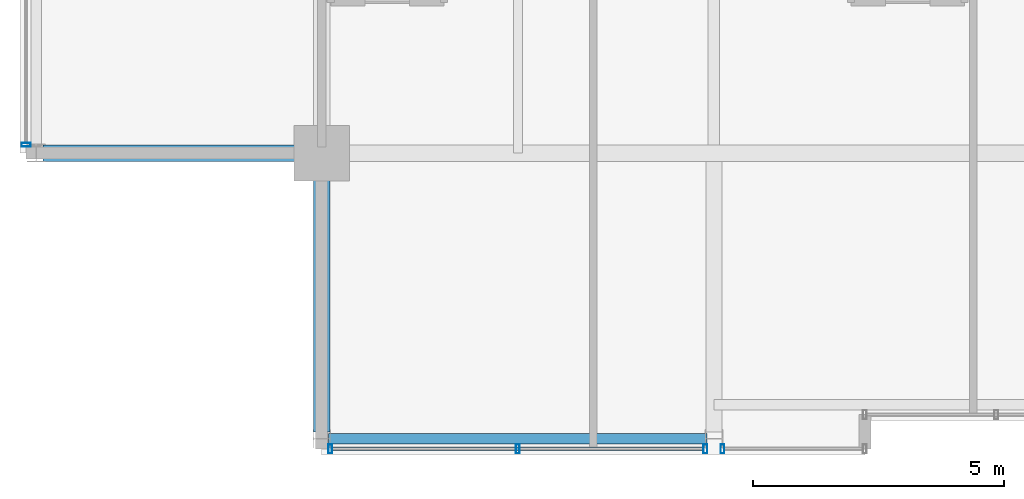
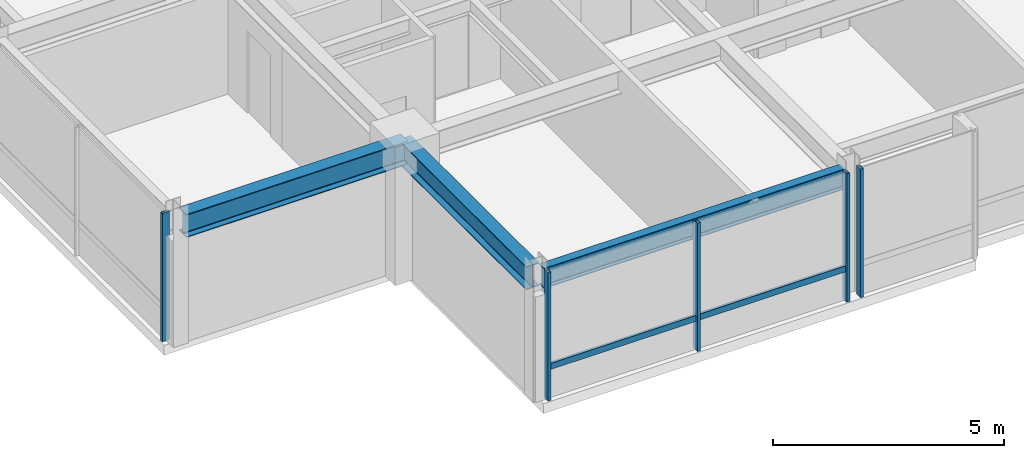
# One storey, part 4 of 34: 6 members, 3 beams, 3 elements without a shape of their own.
"""IFC4 building model written with IfcOpenShell, lengths in metres."""

from ifc_helpers import new_model, si_unit, direction, frame, origin, origin_2d, place, context, subcontext, project, spatial, hollow_rectangle, i_section, extrude, material, layer, layer_set, material_profile, profile_set, type_object, element, aggregate, save


model = new_model("IFC4")

# Units and contexts
model_context = context("Model", 3, precision=1e-05, world=origin(), true_north=direction((0.0, 1.0)))
body_context = subcontext(model_context, "Body", "Model", "MODEL_VIEW")
ifc_project = project(units=[si_unit("LENGTHUNIT", "METRE"), si_unit("AREAUNIT", "SQUARE_METRE"), si_unit("VOLUMEUNIT", "CUBIC_METRE"), si_unit("PLANEANGLEUNIT", "RADIAN"), si_unit("MASSUNIT", "GRAM", prefix="KILO")], contexts=[model_context])

# Site, building, storey
site_placement = place(None, origin())
site = spatial("IfcSite", under=ifc_project, at=site_placement, CompositionType="ELEMENT")
building_placement = place(site_placement, origin())
building = spatial("IfcBuilding", under=site, at=building_placement, Name="Drelvath Grand Hotel", CompositionType="ELEMENT")
storey_placement = place(building_placement, frame((0.0, 0.0, 272.300048828125)))
storey = spatial("IfcBuildingStorey", under=building, at=storey_placement, Name="L71", CompositionType="ELEMENT", Elevation=272.300048828125)

# Curtain wall, member
ifc_material_1 = material(Name="Platinum-Mist Anodised Aluminium Frame", Category="aluminium")
ifc_layer = layer(ifc_material_1, 0.199951171875)
ifc_layer_set = layer_set([ifc_layer], Name="Platinum-Mist Anodised Aluminium Frame")
curtain_wall_type = type_object("IfcCurtainWallType", Name="Stick Curtain Wall CW-05 Platinum Mist High-Rise", PredefinedType="NOTDEFINED", material=ifc_layer_set)
curtain_wall_1_placement = place(storey_placement, origin())
curtain_wall_1 = element("IfcCurtainWall", 1, at=curtain_wall_1_placement, inside=storey, type_object=curtain_wall_type, Name="L71 CW-05 Curtain Wall CW05-L71-SW1", PredefinedType="NOTDEFINED")
ifc_material_profile_1 = material_profile(ifc_material_1, hollow_rectangle(XDim=0.06494140625, YDim=0.159912109375, WallThickness=0.00390625, at=origin_2d()), Name="HSS160X65X4")
ifc_profile_set_1 = profile_set([ifc_material_profile_1], Name="Platinum-Mist Anodised Aluminium Frame")
member_type_1 = type_object("IfcMemberType", Name="Curtain Wall Horizontal Transom CW-05 HSS160X65X4", PredefinedType="USERDEFINED", material=ifc_profile_set_1)
member_1_placement = place(storey_placement, frame((-8.610107421875, 4.919921875, 0.847412109375), z_axis=(-1.0, 0.0, 0.0), x_axis=(0.0, -1.0, 0.0)))
member_1 = element("IfcMember", 2, at=member_1_placement, type_object=member_type_1, Name="CW05-L71-SW1 Sill Transom", ObjectType="TRANSOM", PredefinedType="USERDEFINED", context=body_context, shape_type="SweptSolid", body=[
    extrude(hollow_rectangle(XDim=0.06494140625, YDim=0.159912109375, WallThickness=0.00390625, at=origin_2d()), origin(), (0.0, 0.0, 1.0), 7.3798828125),
])

curtain_wall_2_placement = place(storey_placement, origin())
curtain_wall_2 = element("IfcCurtainWall", 3, at=curtain_wall_2_placement, inside=storey, type_object=curtain_wall_type, Name="L71 CW-05 Curtain Wall CW05-L71-WS1", PredefinedType="NOTDEFINED")
ifc_material_profile_2 = material_profile(ifc_material_1, hollow_rectangle(XDim=0.074951171875, YDim=0.179931640625, WallThickness=0.0048828125, at=origin_2d()), Name="HSS180X75X5")
ifc_profile_set_2 = profile_set([ifc_material_profile_2], Name="Platinum-Mist Anodised Aluminium Frame")
member_type_2 = type_object("IfcMemberType", Name="Curtain Wall Vertical Mullion CW-05 HSS180X75X5", PredefinedType="MULLION", material=ifc_profile_set_2)
member_2_placement = place(storey_placement, frame((-22.080078125, 10.97021484375, 0.0), z_axis=(0.0, 0.0, 1.0), x_axis=(0.0, 1.0, 0.0)))
member_2 = element("IfcMember", 4, at=member_2_placement, type_object=member_type_2, Name="CW05-L71-WS1 Mullion 1", PredefinedType="MULLION", context=body_context, shape_type="SweptSolid", body=[
    extrude(hollow_rectangle(XDim=0.074951171875, YDim=0.179931640625, WallThickness=0.0048828125, at=origin_2d()), origin(), (0.0, 0.0, 1.0), 3.389892578125),
])
aggregate(curtain_wall_2, [member_2])

# Member
member_3_placement = place(storey_placement, frame((-8.570068359375, 4.919921875, 0.0), z_axis=(0.0, 0.0, 1.0), x_axis=(1.0, 0.0, 0.0)))
member_3 = element("IfcMember", 5, at=member_3_placement, type_object=member_type_2, Name="CW05-L71-SW1 Mullion 1", PredefinedType="MULLION", context=body_context, shape_type="SweptSolid", body=[
    extrude(hollow_rectangle(XDim=0.074951171875, YDim=0.179931640625, WallThickness=0.0048828125, at=origin_2d()), origin(), (0.0, 0.0, 1.0), 3.389892578125),
])

member_4_placement = place(storey_placement, frame((-12.300048828125, 4.919921875, 0.0), z_axis=(0.0, 0.0, 1.0), x_axis=(1.0, 0.0, 0.0)))
member_4 = element("IfcMember", 6, at=member_4_placement, type_object=member_type_2, Name="CW05-L71-SW1 Mullion 2", PredefinedType="MULLION", context=body_context, shape_type="SweptSolid", body=[
    extrude(hollow_rectangle(XDim=0.074951171875, YDim=0.179931640625, WallThickness=0.0048828125, at=origin_2d()), origin(), (0.0, 0.0, 1.0), 3.389892578125),
])

member_5_placement = place(storey_placement, frame((-16.02978515625, 4.919921875, 0.0), z_axis=(0.0, 0.0, 1.0), x_axis=(1.0, 0.0, 0.0)))
member_5 = element("IfcMember", 7, at=member_5_placement, type_object=member_type_2, Name="CW05-L71-SW1 Mullion 3", PredefinedType="MULLION", context=body_context, shape_type="SweptSolid", body=[
    extrude(hollow_rectangle(XDim=0.074951171875, YDim=0.179931640625, WallThickness=0.0048828125, at=origin_2d()), origin(), (0.0, 0.0, 1.0), 3.389892578125),
])

aggregate(curtain_wall_1, [member_3, member_4, member_5, member_1])

# Curtain wall, member
curtain_wall_3_placement = place(storey_placement, origin())
curtain_wall_3 = element("IfcCurtainWall", 8, at=curtain_wall_3_placement, inside=storey, type_object=curtain_wall_type, Name="L71 CW-05 Curtain Wall CW05-L71-SW2", PredefinedType="NOTDEFINED")
member_6_placement = place(storey_placement, frame((-8.22998046875, 4.919921875, 0.0), z_axis=(0.0, 0.0, 1.0), x_axis=(1.0, 0.0, 0.0)))
member_6 = element("IfcMember", 9, at=member_6_placement, type_object=member_type_2, Name="CW05-L71-SW2 Mullion 2", PredefinedType="MULLION", context=body_context, shape_type="SweptSolid", body=[
    extrude(hollow_rectangle(XDim=0.074951171875, YDim=0.179931640625, WallThickness=0.0048828125, at=origin_2d()), origin(), (0.0, 0.0, 1.0), 3.389892578125),
])
aggregate(curtain_wall_3, [member_6])

# Beams
ifc_material_2 = material(Name="Steel ASTM A992 Gr 50", Category="steel")
ifc_material_profile_3 = material_profile(ifc_material_2, i_section(OverallWidth=0.210205078125, OverallDepth=0.53662109375, WebThickness=0.010986328125, FlangeThickness=0.017333984375, FilletRadius=0.01806640625, at=origin_2d()), Name="W21X68")
ifc_profile_set_3 = profile_set([ifc_material_profile_3], Name="Steel ASTM A992 Gr 50")
beam_type_1 = type_object("IfcBeamType", Name="Perimeter Spandrel Beam W21X68", PredefinedType="SPANDREL", material=ifc_profile_set_3)
beam_placement = place(storey_placement, frame((-16.06005859375, 5.1201171875, 3.12158203125), z_axis=(1.0, 0.0, 0.0), x_axis=(0.0, 1.0, 0.0)))
element("IfcBeam", 10, at=beam_placement, inside=storey, type_object=beam_type_1, Name="L71 Spandrel South W", PredefinedType="SPANDREL", context=body_context, shape_type="SweptSolid", body=[
    extrude(i_section(OverallWidth=0.210205078125, OverallDepth=0.53662109375, WebThickness=0.010986328125, FlangeThickness=0.017333984375, FilletRadius=0.01806640625, at=origin_2d()), origin(), (0.0, 0.0, 1.0), 7.52001953125),
])
ifc_material_profile_4 = material_profile(ifc_material_2, i_section(OverallWidth=0.323974609375, OverallDepth=0.611083984375, WebThickness=0.0126953125, FlangeThickness=0.01904296875, FilletRadius=0.02197265625, at=origin_2d()), Name="W24X104")
ifc_profile_set_4 = profile_set([ifc_material_profile_4], Name="Steel ASTM A992 Gr 50")
beam_type_2 = type_object("IfcBeamType", Name="Primary Floor Girder W24X104", PredefinedType="BEAM", material=ifc_profile_set_4)
for number, where, z_axis, x_axis, name in (
    (11, (-21.739990234375, 10.800048828125, 3.08447265625), (1.0, 0.0, 0.0), (0.0, 1.0, 0.0), "L71 West Grid Girder C"),
    (12, (-16.199951171875, 5.260009765625, 3.08447265625), (0.0, 1.0, 0.0), (-1.0, 0.0, 0.0), "L71 South Grid Girder 3"),
):
    element("IfcBeam", number, at=place(storey_placement, frame(where, z_axis=z_axis, x_axis=x_axis)), inside=storey, type_object=beam_type_2, Name=name, PredefinedType="BEAM", context=body_context, shape_type="SweptSolid", body=[
        extrude(i_section(OverallWidth=0.323974609375, OverallDepth=0.611083984375, WebThickness=0.0126953125, FlangeThickness=0.01904296875, FilletRadius=0.02197265625, at=origin_2d()), origin(), (0.0, 0.0, 1.0), 5.5400390625),
    ])

save(model, "model.ifc")
